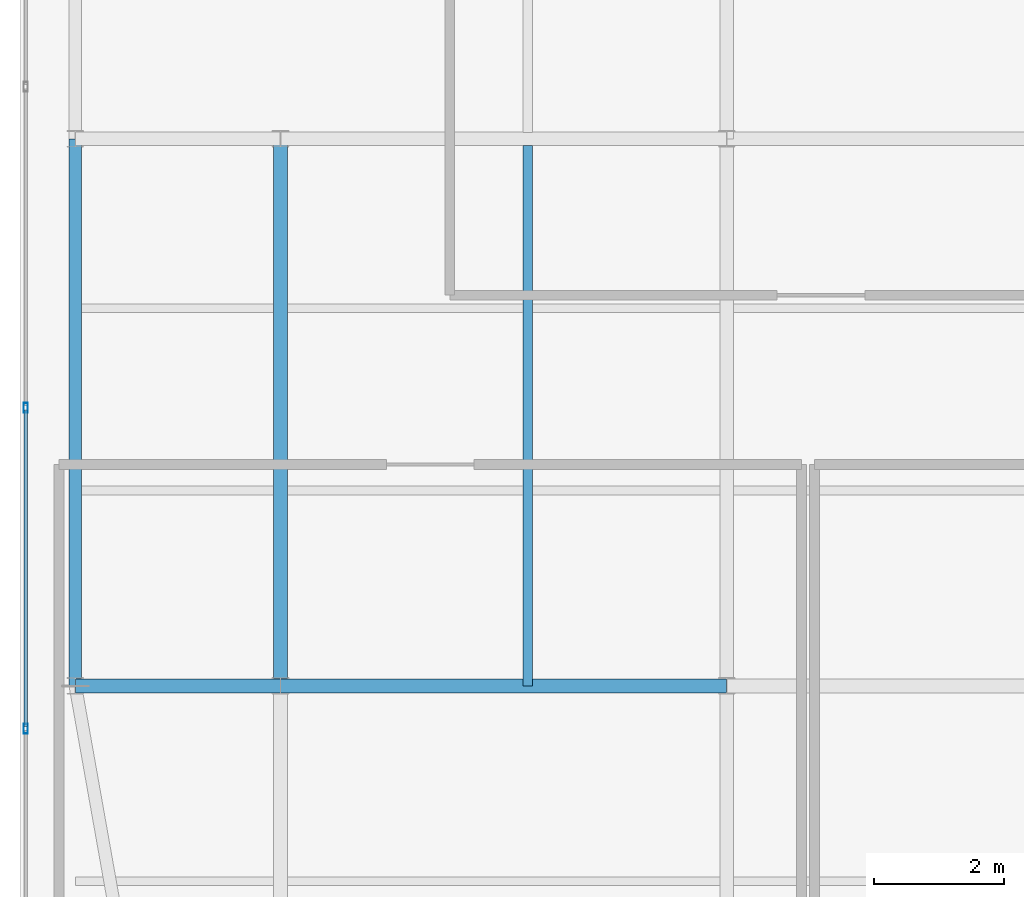
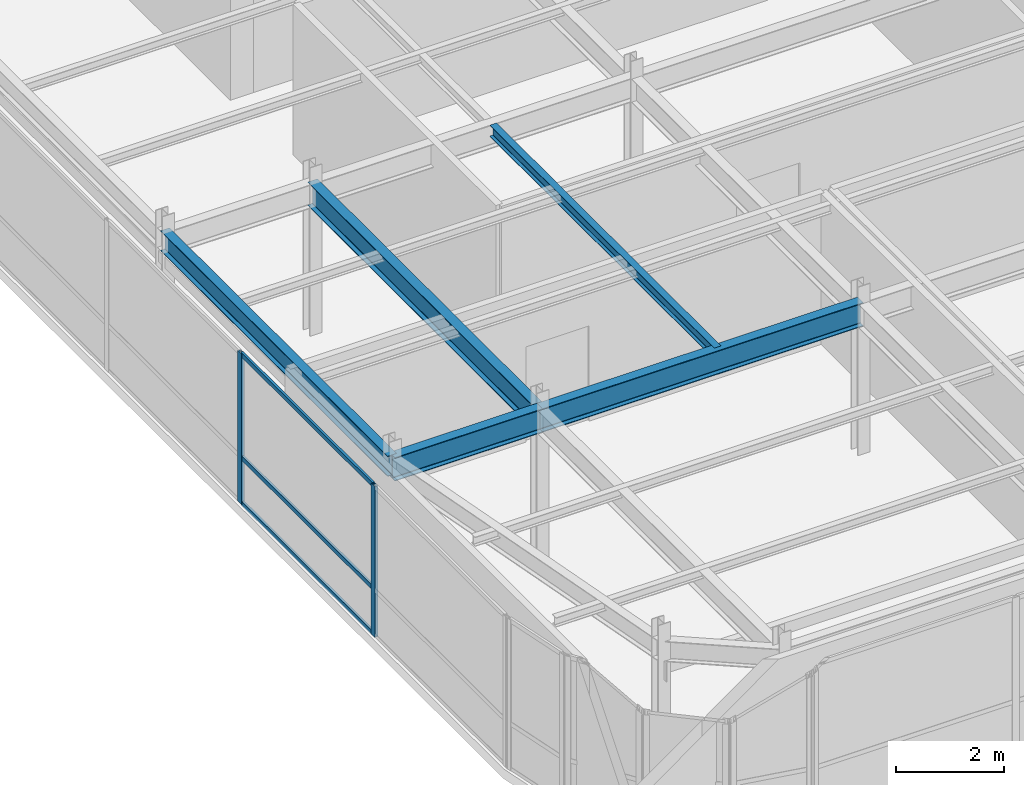
# One storey, part 8 of 35: 5 beams, 5 members, 1 element without a shape of its own.
"""IFC4 building model written with IfcOpenShell, lengths in metres."""

import ifcopenshell
import ifcopenshell.guid

model = None  # the IFC model being written
_history = None  # IfcOwnerHistory: only IFC2X3 demands one
_inside = {}  # id of a spatial element -> (the spatial element, [elements in it])
_under = {}  # id of a project, library or spatial element -> (it, [spatial elements below it])
_declared = {}  # id of a project -> (the project, [libraries it declares])
_typed = {}  # id of a type object -> (the type object, [elements of that type])
_made_of = {}  # id of a material, layer set ... -> (it, [elements and type objects made of it])


def new_model(schema):
    """Start an empty IFC model of exactly this schema.

    Asked for "IFC4X3", IfcOpenShell would pick the latest addendum, in which some entities
    have other attributes; the version numbers below select the first issue.
    IFC2X3 requires an IfcOwnerHistory on every rooted entity: one is made here for all.
    """
    global model, _history
    if schema == "IFC4X3":
        model = ifcopenshell.file(schema_version=(4, 3, 0, 0))
    else:
        model = ifcopenshell.file(schema=schema)
    _inside.clear()
    _under.clear()
    _declared.clear()
    _typed.clear()
    _made_of.clear()
    _history = None
    if model.schema == "IFC2X3":
        org = make("IfcOrganization", Name="unknown")
        user = make(
            "IfcPersonAndOrganization",
            ThePerson=make("IfcPerson", FamilyName="unknown"),
            TheOrganization=org,
        )
        app = make(
            "IfcApplication",
            ApplicationDeveloper=org,
            Version="unknown",
            ApplicationFullName="unknown",
            ApplicationIdentifier="unknown",
        )
        _history = make(
            "IfcOwnerHistory",
            OwningUser=user,
            OwningApplication=app,
            ChangeAction="ADDED",
            CreationDate=0,
        )
    return model


def make(cls, **values):
    """One entity of the class cls with the attributes given. An attribute that is None is left unset."""
    return model.create_entity(
        cls, **{name: value for name, value in values.items() if value is not None}
    )


def rooted(cls, **values):
    """An entity with a GlobalId (a new one), such as an element, a storey or a relation."""
    return make(cls, GlobalId=ifcopenshell.guid.new(), OwnerHistory=_history, **values)


def si_unit(unit_type, name, prefix=None):
    """IfcSIUnit, for example si_unit("LENGTHUNIT", "METRE", prefix="MILLI")."""
    return make("IfcSIUnit", UnitType=unit_type, Prefix=prefix, Name=name)


def assignment(units):
    """IfcUnitAssignment: the units of a project."""
    return None if units is None else make("IfcUnitAssignment", Units=units)


def point(xyz):
    """IfcCartesianPoint."""
    return None if xyz is None else make("IfcCartesianPoint", Coordinates=xyz)


def direction(xyz):
    """IfcDirection."""
    return None if xyz is None else make("IfcDirection", DirectionRatios=xyz)


def frame(location, z_axis=None, x_axis=None):
    """IfcAxis2Placement3D, a coordinate frame: its origin and axes. An axis left out is left unset."""
    return make(
        "IfcAxis2Placement3D",
        Location=point(location),
        Axis=direction(z_axis),
        RefDirection=direction(x_axis),
    )


def frame_2d(location, x_axis=None):
    """IfcAxis2Placement2D, a coordinate frame in the plane: its origin and x axis."""
    return make(
        "IfcAxis2Placement2D", Location=point(location), RefDirection=direction(x_axis)
    )


def origin():
    """The frame at (0, 0, 0) with its axes left unset."""
    return frame((0.0, 0.0, 0.0))


def origin_2d():
    """The frame at (0, 0) in the plane with its x axis left unset."""
    return frame_2d((0.0, 0.0))


def place(relative_to, where):
    """IfcLocalPlacement: puts the frame where relative to a parent placement (None: the world)."""
    return make(
        "IfcLocalPlacement", PlacementRelTo=relative_to, RelativePlacement=where
    )


def context(
    kind, dimensions, precision=None, world=None, true_north=None, identifier=None
):
    """IfcGeometricRepresentationContext, for example the 3D "Model" context."""
    return make(
        "IfcGeometricRepresentationContext",
        ContextIdentifier=identifier,
        ContextType=kind,
        CoordinateSpaceDimension=dimensions,
        Precision=precision,
        WorldCoordinateSystem=world,
        TrueNorth=true_north,
    )


def subcontext(parent, identifier, kind, view, scale=None):
    """IfcGeometricRepresentationSubContext, for example "Body" below "Model"."""
    return make(
        "IfcGeometricRepresentationSubContext",
        ContextIdentifier=identifier,
        ContextType=kind,
        ParentContext=parent,
        TargetScale=scale,
        TargetView=view,
    )


def project(units=None, contexts=None):
    """IfcProject with its units and contexts."""
    return rooted(
        "IfcProject",
        Name="project",
        RepresentationContexts=contexts,
        UnitsInContext=assignment(units),
    )


def spatial(cls, under=None, at=None, **own):
    """A site, building, storey or space (cls), placed at a placement, below another one or the project."""
    s = rooted(cls, ObjectPlacement=at, **own)
    if under is not None:
        _under.setdefault(under.id(), (under, []))[1].append(s)
    return s


def profile(cls, at=None, kind="AREA", **sizes):
    """A parametric profile (cls). Its sizes go by their IFC names, for example OverallWidth=200.0."""
    return make(cls, ProfileType=kind, Position=at, **sizes)


def hollow_rectangle(**sizes):
    """IfcRectangleHollowProfileDef."""
    return profile("IfcRectangleHollowProfileDef", **sizes)


def i_section(**sizes):
    """IfcIShapeProfileDef."""
    return profile("IfcIShapeProfileDef", **sizes)


def extrude(swept, where, along, depth):
    """IfcExtrudedAreaSolid: the profile swept, set in the frame where, extruded along a direction by depth."""
    return make(
        "IfcExtrudedAreaSolid",
        SweptArea=swept,
        Position=where,
        ExtrudedDirection=direction(along),
        Depth=depth,
    )


def shape(context_of_items, identifier, shape_type, items):
    """IfcShapeRepresentation: the items that make up one representation, for example the "Body"."""
    return make(
        "IfcShapeRepresentation",
        ContextOfItems=context_of_items,
        RepresentationIdentifier=identifier,
        RepresentationType=shape_type,
        Items=items,
    )


def source(mapping_origin, context_of_items, identifier, shape_type, items):
    """IfcRepresentationMap: a shape defined once, which mapped items show again and again."""
    return make(
        "IfcRepresentationMap",
        MappingOrigin=mapping_origin,
        MappedRepresentation=shape(context_of_items, identifier, shape_type, items),
    )


def transform(
    local_origin,
    x_axis=None,
    y_axis=None,
    z_axis=None,
    scale=None,
    scale2=None,
    scale3=None,
    uniform=True,
):
    """IfcCartesianTransformationOperator3D, or its non-uniform kind. x_axis, y_axis, z_axis: its Axis1, 2, 3."""
    if uniform:
        return make(
            "IfcCartesianTransformationOperator3D",
            Axis1=direction(x_axis),
            Axis2=direction(y_axis),
            LocalOrigin=point(local_origin),
            Scale=scale,
            Axis3=direction(z_axis),
        )
    return make(
        "IfcCartesianTransformationOperator3DnonUniform",
        Axis1=direction(x_axis),
        Axis2=direction(y_axis),
        LocalOrigin=point(local_origin),
        Scale=scale,
        Axis3=direction(z_axis),
        Scale2=scale2,
        Scale3=scale3,
    )


def mapped(mapping_source, mapping_target):
    """IfcMappedItem: shows the shape of a source again, moved by a transform."""
    return make(
        "IfcMappedItem", MappingSource=mapping_source, MappingTarget=mapping_target
    )


def material(Name=None, Category=None):
    """IfcMaterial."""
    return make("IfcMaterial", Name=Name, Category=Category)


def layer(
    of_material, thickness, ventilated=None, Name=None, Category=None, Priority=None
):
    """IfcMaterialLayer: one layer of a wall or slab, of a material (None: an air gap)."""
    return make(
        "IfcMaterialLayer",
        Material=of_material,
        LayerThickness=thickness,
        IsVentilated=ventilated,
        Name=Name,
        Category=Category,
        Priority=Priority,
    )


def layer_set(layers, Name=None):
    """IfcMaterialLayerSet."""
    return make("IfcMaterialLayerSet", MaterialLayers=layers, LayerSetName=Name)


def material_profile(
    of_material, cross_section, Name=None, Category=None, Priority=None
):
    """IfcMaterialProfile: a cross section and its material."""
    return make(
        "IfcMaterialProfile",
        Name=Name,
        Material=of_material,
        Profile=cross_section,
        Priority=Priority,
        Category=Category,
    )


def profile_set(profiles, Name=None, composite=None):
    """IfcMaterialProfileSet."""
    return make(
        "IfcMaterialProfileSet",
        Name=Name,
        MaterialProfiles=profiles,
        CompositeProfile=composite,
    )


def made_of(thing, what):
    """Note that an element or type object is made of a material, layer set ...; save() writes the relation."""
    if what is not None:
        _made_of.setdefault(what.id(), (what, []))[1].append(thing)
    return thing


def type_object(cls, material=None, **own):
    """A type object (cls), such as IfcWallType, which elements share."""
    return made_of(rooted(cls, **own), material)


def type_shapes(of_type, sources):
    """Give a type object the sources (RepresentationMaps) that its elements show as mapped items."""
    of_type.RepresentationMaps = sources


def element(
    cls,
    number,
    at=None,
    inside=None,
    cuts=None,
    type_object=None,
    material=None,
    context=None,
    identifier="Body",
    shape_type=None,
    held_by="IfcProductDefinitionShape",
    body=None,
    shapes=None,
    **own,
):
    """One element of the class cls, such as IfcWall. Its Tag is "e" and its number.

    at: its placement. inside: the storey or other place that contains it. cuts: it is an
    opening in that element (IfcRelVoidsElement). A single representation is given by context,
    identifier, shape_type and body (its items); several are given by shapes. held_by: the class
    of the entity that holds the representations. save() writes the other relations.
    """
    e = rooted(cls, Tag="e%d" % number, ObjectPlacement=at, **own)
    if body is not None:
        shapes = [shape(context, identifier, shape_type, body)]
    if shapes is not None:
        e.Representation = make(held_by, Representations=shapes)
    if inside is not None:
        _inside.setdefault(inside.id(), (inside, []))[1].append(e)
    if cuts is not None:
        rooted(
            "IfcRelVoidsElement", RelatingBuildingElement=cuts, RelatedOpeningElement=e
        )
    if type_object is not None:
        _typed.setdefault(type_object.id(), (type_object, []))[1].append(e)
    return made_of(e, material)


def aggregate(whole, parts):
    """IfcRelAggregates: a whole, such as a stair, and the parts it consists of."""
    return rooted("IfcRelAggregates", RelatingObject=whole, RelatedObjects=parts)


def save(model, path):
    """Write the relations noted so far, then the file.

    IfcRelAggregates (storeys below a building ...), IfcRelContainedInSpatialStructure (elements
    in a storey), IfcRelDefinesByType, IfcRelAssociatesMaterial and IfcRelDeclares: one each for
    every whole, place, type object, material and project.
    """
    for whole, parts in _under.values():
        aggregate(whole, parts)
    for where, things in _inside.values():
        rooted(
            "IfcRelContainedInSpatialStructure",
            RelatedElements=things,
            RelatingStructure=where,
        )
    for kind, things in _typed.values():
        rooted("IfcRelDefinesByType", RelatedObjects=things, RelatingType=kind)
    for what, things in _made_of.values():
        rooted("IfcRelAssociatesMaterial", RelatedObjects=things, RelatingMaterial=what)
    for by, libraries in _declared.values():
        rooted("IfcRelDeclares", RelatingContext=by, RelatedDefinitions=libraries)
    model.write(path)


model = new_model("IFC4")

# Units and contexts
model_context = context("Model", 3, precision=1e-05, world=origin(), true_north=direction((0.0, 1.0)))
body_context = subcontext(model_context, "Body", "Model", "MODEL_VIEW")
ifc_project = project(units=[si_unit("LENGTHUNIT", "METRE"), si_unit("AREAUNIT", "SQUARE_METRE"), si_unit("VOLUMEUNIT", "CUBIC_METRE"), si_unit("PLANEANGLEUNIT", "RADIAN"), si_unit("MASSUNIT", "GRAM", prefix="KILO")], contexts=[model_context])

# Site, building, storey
site_placement = place(None, origin())
site = spatial("IfcSite", under=ifc_project, at=site_placement, CompositionType="ELEMENT")
building_placement = place(site_placement, origin())
building = spatial("IfcBuilding", under=site, at=building_placement, Name="Tolvann Quenvar Hotel", CompositionType="ELEMENT")
storey_placement = place(building_placement, frame((0.0, 0.0, 309.949951171875)))
storey = spatial("IfcBuildingStorey", under=building, at=storey_placement, Name="L82", CompositionType="ELEMENT", Elevation=309.949951171875)

# Beams
ifc_material_1 = material(Name="Steel Grade 350", Category="steel")
ifc_material_profile_1 = material_profile(ifc_material_1, i_section(OverallWidth=0.208984375, OverallDepth=0.532958984375, WebThickness=0.01025390625, FlangeThickness=0.015625, FilletRadius=0.013916015625, at=origin_2d()), Name="530UB92")
ifc_profile_set_1 = profile_set([ifc_material_profile_1], Name="Steel Grade 350")
beam_type_1 = type_object("IfcBeamType", Name="BM_GIRD_530UB92", PredefinedType="BEAM", material=ifc_profile_set_1)
shared_shape_1 = source(origin(), body_context, "Body", "SweptSolid", [
    extrude(i_section(OverallWidth=0.208984375, OverallDepth=0.532958984375, WebThickness=0.01025390625, FlangeThickness=0.015625, FilletRadius=0.013916015625, at=origin_2d()), origin(), (0.0, 0.0, 1.0), 8.39990234375),
])
beam_1_placement = place(storey_placement, frame((7.60009765625, 16.0, 3.133544921875), z_axis=(0.0, 1.0, 0.0), x_axis=(-1.0, 0.0, 0.0)))
element("IfcBeam", 1, at=beam_1_placement, inside=storey, type_object=beam_type_1, Name="BM-L82-NS-C4-C5", PredefinedType="BEAM", context=body_context, shape_type="MappedRepresentation", body=[
    mapped(shared_shape_1, transform((0.0, 0.0, 0.0), x_axis=(1.0, 0.0, 0.0), y_axis=(0.0, 1.0, 0.0), z_axis=(0.0, 0.0, 1.0), scale=1.0)),
])
ifc_material_profile_2 = material_profile(ifc_material_1, i_section(OverallWidth=0.19091796875, OverallDepth=0.4599609375, WebThickness=0.010009765625, FlangeThickness=0.01611328125, FilletRadius=0.011474609375, at=origin_2d()), Name="460UB82")
ifc_profile_set_2 = profile_set([ifc_material_profile_2], Name="Steel Grade 350")
beam_type_2 = type_object("IfcBeamType", Name="BM_SPAND_460UB82", PredefinedType="SPANDREL", material=ifc_profile_set_2)
shared_shape_2 = source(origin(), body_context, "Body", "SweptSolid", [
    extrude(i_section(OverallWidth=0.19091796875, OverallDepth=0.4599609375, WebThickness=0.010009765625, FlangeThickness=0.01611328125, FilletRadius=0.011474609375, at=origin_2d()), origin(), (0.0, 0.0, 1.0), 8.39990234375),
])
type_shapes(beam_type_2, [shared_shape_2])
beam_2_placement = place(storey_placement, frame((4.449951171875, 16.0, 3.170166015625), z_axis=(0.0, 1.0, 0.0), x_axis=(-1.0, 0.0, 0.0)))
element("IfcBeam", 2, at=beam_2_placement, inside=storey, type_object=beam_type_2, Name="BM-L82-NS-B4-B5", PredefinedType="SPANDREL", context=body_context, shape_type="MappedRepresentation", body=[
    mapped(shared_shape_2, transform((0.0, 0.0, 0.0), x_axis=(1.0, 0.0, 0.0), y_axis=(0.0, 1.0, 0.0), z_axis=(0.0, 0.0, 1.0), scale=1.0)),
])
shared_shape_3 = source(origin(), body_context, "Body", "SweptSolid", [
    extrude(i_section(OverallWidth=0.208984375, OverallDepth=0.532958984375, WebThickness=0.01025390625, FlangeThickness=0.015625, FilletRadius=0.013916015625, at=origin_2d()), origin(), (0.0, 0.0, 1.0), 6.849853515625),
])
beam_3_placement = place(storey_placement, frame((7.60009765625, 16.0, 3.133544921875), z_axis=(1.0, 0.0, 0.0), x_axis=(0.0, 1.0, 0.0)))
element("IfcBeam", 3, at=beam_3_placement, inside=storey, type_object=beam_type_1, Name="BM-L82-EW-4-C4-D4", PredefinedType="BEAM", context=body_context, shape_type="MappedRepresentation", body=[
    mapped(shared_shape_3, transform((0.0, 0.0, 0.0), x_axis=(1.0, 0.0, 0.0), y_axis=(0.0, 1.0, 0.0), z_axis=(0.0, 0.0, 1.0), scale=1.0)),
])
shared_shape_4 = source(origin(), body_context, "Body", "SweptSolid", [
    extrude(i_section(OverallWidth=0.208984375, OverallDepth=0.532958984375, WebThickness=0.01025390625, FlangeThickness=0.015625, FilletRadius=0.013916015625, at=origin_2d()), origin(), (0.0, 0.0, 1.0), 3.150146484375),
])
type_shapes(beam_type_1, [shared_shape_1, shared_shape_3, shared_shape_4])
beam_4_placement = place(storey_placement, frame((4.449951171875, 16.0, 3.133544921875), z_axis=(1.0, 0.0, 0.0), x_axis=(0.0, 1.0, 0.0)))
element("IfcBeam", 4, at=beam_4_placement, inside=storey, type_object=beam_type_1, Name="BM-L82-EW-4-B4-C4", PredefinedType="BEAM", context=body_context, shape_type="MappedRepresentation", body=[
    mapped(shared_shape_4, transform((0.0, 0.0, 0.0), x_axis=(1.0, 0.0, 0.0), y_axis=(0.0, 1.0, 0.0), z_axis=(0.0, 0.0, 1.0), scale=1.0)),
])
ifc_material_profile_3 = material_profile(ifc_material_1, i_section(OverallWidth=0.14599609375, OverallDepth=0.256103515625, WebThickness=0.00634765625, FlangeThickness=0.010986328125, FilletRadius=0.0087890625, at=origin_2d()), Name="250UB37")
ifc_profile_set_3 = profile_set([ifc_material_profile_3], Name="Steel Grade 350")
beam_type_3 = type_object("IfcBeamType", Name="BM_JOIST_250UB37", PredefinedType="JOIST", material=ifc_profile_set_3)
shared_shape_5 = source(origin(), body_context, "Body", "SweptSolid", [
    extrude(i_section(OverallWidth=0.14599609375, OverallDepth=0.256103515625, WebThickness=0.00634765625, FlangeThickness=0.010986328125, FilletRadius=0.0087890625, at=origin_2d()), origin(), (0.0, 0.0, 1.0), 8.301513671875),
])
type_shapes(beam_type_3, [shared_shape_5])
beam_5_placement = place(storey_placement, frame((11.39990234375, 16.0, 3.27197265625), z_axis=(0.0, 1.0, 0.0), x_axis=(-1.0, 0.0, 0.0)))
element("IfcBeam", 5, at=beam_5_placement, inside=storey, type_object=beam_type_3, Name="BJ-L82-114-160", PredefinedType="JOIST", context=body_context, shape_type="MappedRepresentation", body=[
    mapped(shared_shape_5, transform((0.0, 0.0, 0.0), x_axis=(1.0, 0.0, 0.0), y_axis=(0.0, 1.0, 0.0), z_axis=(0.0, 0.0, 1.0), scale=1.0)),
])

# Curtain wall, members
ifc_material_2 = material(Name="Thermally broken anodised architectural aluminium 6063-T6 and laminated low-E glass", Category="aluminium")
ifc_layer = layer(ifc_material_2, 0.179931640625)
ifc_layer_set = layer_set([ifc_layer], Name="Thermally broken anodised architectural aluminium 6063-T6 and laminated low-E glass")
curtain_wall_type = type_object("IfcCurtainWallType", Name="CW_SYS_LANT_06", PredefinedType="USERDEFINED", material=ifc_layer_set)
curtain_wall_placement = place(storey_placement, origin())
curtain_wall = element("IfcCurtainWall", 6, at=curtain_wall_placement, inside=storey, type_object=curtain_wall_type, Name="Curtain Wall CW-LANT-06 (CWR-L82-E19)", ObjectType="UNITISED CURTAIN WALL", PredefinedType="USERDEFINED")
ifc_material_3 = material(Name="Anodised architectural aluminium 6063-T6 framing", Category="aluminium")
ifc_material_profile_4 = material_profile(ifc_material_3, hollow_rectangle(XDim=0.050048828125, YDim=0.10009765625, WallThickness=0.0029296875, at=origin_2d()), Name="100x50x3RHS")
ifc_profile_set_4 = profile_set([ifc_material_profile_4], Name="Anodised architectural aluminium 6063-T6 framing")
member_type_1 = type_object("IfcMemberType", Name="CW_TRAN_100x50", PredefinedType="USERDEFINED", material=ifc_profile_set_4)
shared_shape_6 = source(origin(), body_context, "Body", "SweptSolid", [
    extrude(hollow_rectangle(XDim=0.050048828125, YDim=0.10009765625, WallThickness=0.0029296875, at=origin_2d()), origin(), (0.0, 0.0, 1.0), 4.86279296875),
])
type_shapes(member_type_1, [shared_shape_6])
member_1_placement = place(storey_placement, frame((3.68994140625, 20.239990234375, 0.025146484375), z_axis=(0.0, -1.0, 0.0), x_axis=(1.0, 0.0, 0.0)))
member_1 = element("IfcMember", 7, at=member_1_placement, type_object=member_type_1, Name="CW-LANT-06 transom 5.1", ObjectType="TRANSOM", PredefinedType="USERDEFINED", context=body_context, shape_type="MappedRepresentation", body=[
    mapped(shared_shape_6, transform((0.0, 0.0, 0.0), x_axis=(1.0, 0.0, 0.0), y_axis=(0.0, 1.0, 0.0), z_axis=(0.0, 0.0, 1.0), scale=1.0)),
])
member_2_placement = place(storey_placement, frame((3.68994140625, 20.239990234375, 1.050048828125), z_axis=(0.0, -1.0, 0.0), x_axis=(1.0, 0.0, 0.0)))
member_2 = element("IfcMember", 8, at=member_2_placement, type_object=member_type_1, Name="CW-LANT-06 transom 5.2", ObjectType="TRANSOM", PredefinedType="USERDEFINED", context=body_context, shape_type="MappedRepresentation", body=[
    mapped(shared_shape_6, transform((0.0, 0.0, 0.0), x_axis=(1.0, 0.0, 0.0), y_axis=(0.0, 1.0, 0.0), z_axis=(0.0, 0.0, 1.0), scale=1.0)),
])
member_3_placement = place(storey_placement, frame((3.68994140625, 20.239990234375, 3.375), z_axis=(0.0, -1.0, 0.0), x_axis=(1.0, 0.0, 0.0)))
member_3 = element("IfcMember", 9, at=member_3_placement, type_object=member_type_1, Name="CW-LANT-06 transom 5.3", ObjectType="TRANSOM", PredefinedType="USERDEFINED", context=body_context, shape_type="MappedRepresentation", body=[
    mapped(shared_shape_6, transform((0.0, 0.0, 0.0), x_axis=(1.0, 0.0, 0.0), y_axis=(0.0, 1.0, 0.0), z_axis=(0.0, 0.0, 1.0), scale=1.0)),
])
ifc_material_profile_5 = material_profile(ifc_material_3, hollow_rectangle(XDim=0.06494140625, YDim=0.14990234375, WallThickness=0.00390625, at=origin_2d()), Name="150x65x4RHS")
ifc_profile_set_5 = profile_set([ifc_material_profile_5], Name="Anodised architectural aluminium 6063-T6 framing")
member_type_2 = type_object("IfcMemberType", Name="CW_MULL_150x65", PredefinedType="MULLION", material=ifc_profile_set_5)
shared_shape_7 = source(origin(), body_context, "Body", "SweptSolid", [
    extrude(hollow_rectangle(XDim=0.06494140625, YDim=0.14990234375, WallThickness=0.00390625, at=origin_2d()), origin(), (0.0, 0.0, 1.0), 3.400146484375),
])
type_shapes(member_type_2, [shared_shape_7])
member_4_placement = place(storey_placement, frame((3.68994140625, 20.2724609375, 0.0), z_axis=(0.0, 0.0, 1.0), x_axis=(1.0, 0.0, 0.0)))
member_4 = element("IfcMember", 10, at=member_4_placement, type_object=member_type_2, Name="CW-LANT-06 mullion 5", PredefinedType="MULLION", context=body_context, shape_type="MappedRepresentation", body=[
    mapped(shared_shape_7, transform((0.0, 0.0, 0.0), x_axis=(1.0, 0.0, 0.0), y_axis=(0.0, 1.0, 0.0), z_axis=(0.0, 0.0, 1.0), scale=1.0)),
])
member_5_placement = place(storey_placement, frame((3.68994140625, 15.3447265625, 0.0), z_axis=(0.0, 0.0, 1.0), x_axis=(1.0, 0.0, 0.0)))
member_5 = element("IfcMember", 11, at=member_5_placement, type_object=member_type_2, Name="CW-LANT-06 mullion 6", PredefinedType="MULLION", context=body_context, shape_type="MappedRepresentation", body=[
    mapped(shared_shape_7, transform((0.0, 0.0, 0.0), x_axis=(1.0, 0.0, 0.0), y_axis=(0.0, 1.0, 0.0), z_axis=(0.0, 0.0, 1.0), scale=1.0)),
])
aggregate(curtain_wall, [member_4, member_5, member_1, member_2, member_3])

save(model, "model.ifc")
